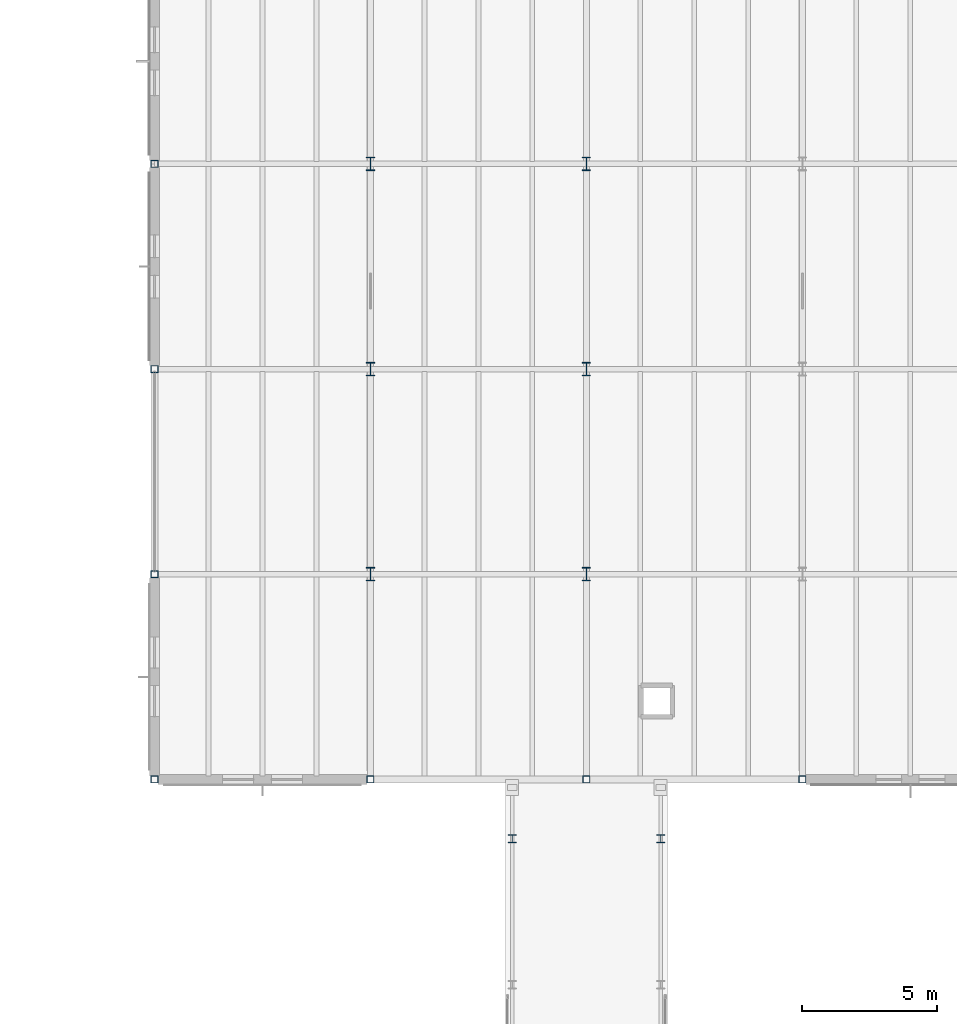
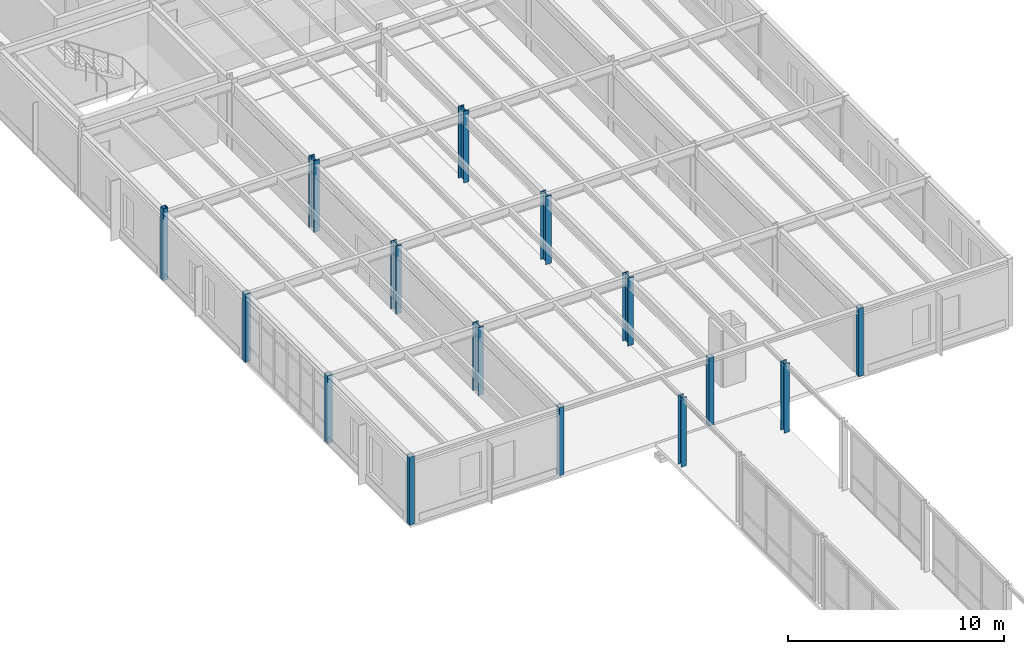
# One storey, part 21 of 189: 15 columns.
"""IFC4 building model written with IfcOpenShell, lengths in metres."""

from ifc_helpers import new_model, si_unit, direction, frame, origin, origin_2d, place, context, subcontext, project, spatial, hollow_rectangle, i_section, extrude, material, material_profile, profile_set, type_object, element, save


model = new_model("IFC4")

# Units and contexts
model_context = context("Model", 3, precision=1e-05, world=origin(), true_north=direction((0.0, 1.0)))
body_context = subcontext(model_context, "Body", "Model", "MODEL_VIEW")
ifc_project = project(units=[si_unit("LENGTHUNIT", "METRE"), si_unit("AREAUNIT", "SQUARE_METRE"), si_unit("VOLUMEUNIT", "CUBIC_METRE"), si_unit("PLANEANGLEUNIT", "RADIAN"), si_unit("MASSUNIT", "GRAM", prefix="KILO")], contexts=[model_context])

# Site, building, storey
site_placement = place(None, origin())
site = spatial("IfcSite", under=ifc_project, at=site_placement, CompositionType="ELEMENT")
building_placement = place(site_placement, origin())
building = spatial("IfcBuilding", under=site, at=building_placement, Name="Montecoro Central Library", CompositionType="ELEMENT")
storey_placement = place(building_placement, frame((0.0, 0.0, 9.179931640625)))
storey = spatial("IfcBuildingStorey", under=building, at=storey_placement, Name="L02", CompositionType="ELEMENT", Elevation=9.179931640625)

# Columns
ifc_material_1 = material(Name="Steel S355", Category="steel")
ifc_material_profile_1 = material_profile(ifc_material_1, i_section(OverallWidth=0.300048828125, OverallDepth=0.300048828125, WebThickness=0.010986328125, FlangeThickness=0.01904296875, at=origin_2d()), Name="HEB 300")
ifc_profile_set_1 = profile_set([ifc_material_profile_1], Name="Steel S355")
column_type_1 = type_object("IfcColumnType", Name="COL-HEB300", PredefinedType="COLUMN", material=ifc_profile_set_1)
for number, where, z_axis, x_axis, name in (
    (1, (154.25, 71.199951171875, 0.0), (0.0, 0.0, 1.0), (1.0, 0.0, 0.0), "BR-E-L02-COL-1542-712"),
    (2, (159.75, 71.199951171875, 0.0), (0.0, 0.0, 1.0), (1.0, 0.0, 0.0), "BR-E-L02-COL-1597-712"),
):
    element("IfcColumn", number, at=place(storey_placement, frame(where, z_axis=z_axis, x_axis=x_axis)), inside=storey, type_object=column_type_1, Name=name, PredefinedType="COLUMN", context=body_context, shape_type="SweptSolid", body=[
        extrude(i_section(OverallWidth=0.300048828125, OverallDepth=0.300048828125, WebThickness=0.010986328125, FlangeThickness=0.01904296875, at=origin_2d()), origin(), (0.0, 0.0, 1.0), 3.907958984375),
    ])
ifc_material_2 = material(Name="Steel S355J2", Category="steel")
ifc_material_profile_2 = material_profile(ifc_material_2, i_section(OverallWidth=0.300048828125, OverallDepth=0.5, WebThickness=0.014404296875, FlangeThickness=0.028076171875, at=origin_2d()), Name="HEB 500")
ifc_profile_set_2 = profile_set([ifc_material_profile_2], Name="Steel S355J2")
column_type_2 = type_object("IfcColumnType", Name="COL-HEB500", PredefinedType="COLUMN", material=ifc_profile_set_2)
for number, where, z_axis, x_axis, name in (
    (3, (149.0, 81.0, 0.0), (0.0, 0.0, 1.0), (1.0, 0.0, 0.0), "V5-L02-COL-19-L"),
    (4, (149.0, 88.60009765625, 0.0), (0.0, 0.0, 1.0), (1.0, 0.0, 0.0), "V5-L02-COL-19-M"),
):
    element("IfcColumn", number, at=place(storey_placement, frame(where, z_axis=z_axis, x_axis=x_axis)), inside=storey, type_object=column_type_2, Name=name, PredefinedType="COLUMN", context=body_context, shape_type="SweptSolid", body=[
        extrude(i_section(OverallWidth=0.300048828125, OverallDepth=0.5, WebThickness=0.014404296875, FlangeThickness=0.028076171875, at=origin_2d()), origin(), (0.0, 0.0, 1.0), 3.85009765625),
    ])
column_1_placement = place(storey_placement, frame((149.0, 96.199951171875, 0.0), z_axis=(0.0, 0.0, 1.0), x_axis=(1.0, 0.0, 0.0)))
element("IfcColumn", 5, at=column_1_placement, inside=storey, type_object=column_type_2, Name="V5-L02-COL-19-N", PredefinedType="COLUMN", context=body_context, shape_type="SweptSolid", body=[
    extrude(i_section(OverallWidth=0.300048828125, OverallDepth=0.5, WebThickness=0.014404296875, FlangeThickness=0.028076171875, at=origin_2d()), origin(), (0.0, 0.0, 1.0), 4.05517578125),
])
for number, where, z_axis, x_axis, name in (
    (6, (157.0, 81.0, 0.0), (0.0, 0.0, 1.0), (1.0, 0.0, 0.0), "V5-L02-COL-20-L"),
    (7, (157.0, 88.60009765625, 0.0), (0.0, 0.0, 1.0), (1.0, 0.0, 0.0), "V5-L02-COL-20-M"),
):
    element("IfcColumn", number, at=place(storey_placement, frame(where, z_axis=z_axis, x_axis=x_axis)), inside=storey, type_object=column_type_2, Name=name, PredefinedType="COLUMN", context=body_context, shape_type="SweptSolid", body=[
        extrude(i_section(OverallWidth=0.300048828125, OverallDepth=0.5, WebThickness=0.014404296875, FlangeThickness=0.028076171875, at=origin_2d()), origin(), (0.0, 0.0, 1.0), 3.85009765625),
    ])
column_2_placement = place(storey_placement, frame((157.0, 96.199951171875, 0.0), z_axis=(0.0, 0.0, 1.0), x_axis=(1.0, 0.0, 0.0)))
element("IfcColumn", 8, at=column_2_placement, inside=storey, type_object=column_type_2, Name="V5-L02-COL-20-N", PredefinedType="COLUMN", context=body_context, shape_type="SweptSolid", body=[
    extrude(i_section(OverallWidth=0.300048828125, OverallDepth=0.5, WebThickness=0.014404296875, FlangeThickness=0.028076171875, at=origin_2d()), origin(), (0.0, 0.0, 1.0), 4.05517578125),
])
ifc_material_profile_3 = material_profile(ifc_material_1, hollow_rectangle(XDim=0.260009765625, YDim=0.260009765625, WallThickness=0.012451171875, at=origin_2d()), Name="SHS 260x260x12.5")
ifc_profile_set_3 = profile_set([ifc_material_profile_3], Name="Steel S355")
column_type_3 = type_object("IfcColumnType", Name="COL-SHS260", PredefinedType="COLUMN", material=ifc_profile_set_3)
for number, where, z_axis, x_axis, name in (
    (9, (141.0, 73.39990234375, 0.0), (0.0, 0.0, 1.0), (1.0, 0.0, 0.0), "V5-L02-COL-18-K"),
    (10, (141.0, 81.0, 0.0), (0.0, 0.0, 1.0), (1.0, 0.0, 0.0), "V5-L02-COL-18-L"),
    (11, (141.0, 88.60009765625, 0.0), (0.0, 0.0, 1.0), (1.0, 0.0, 0.0), "V5-L02-COL-18-M"),
):
    element("IfcColumn", number, at=place(storey_placement, frame(where, z_axis=z_axis, x_axis=x_axis)), inside=storey, type_object=column_type_3, Name=name, PredefinedType="COLUMN", context=body_context, shape_type="SweptSolid", body=[
        extrude(hollow_rectangle(XDim=0.260009765625, YDim=0.260009765625, WallThickness=0.012451171875, at=origin_2d()), origin(), (0.0, 0.0, 1.0), 3.85009765625),
    ])
column_3_placement = place(storey_placement, frame((141.0, 96.199951171875, 0.0), z_axis=(0.0, 0.0, 1.0), x_axis=(1.0, 0.0, 0.0)))
element("IfcColumn", 12, at=column_3_placement, inside=storey, type_object=column_type_3, Name="V5-L02-COL-18-N", PredefinedType="COLUMN", context=body_context, shape_type="SweptSolid", body=[
    extrude(hollow_rectangle(XDim=0.260009765625, YDim=0.260009765625, WallThickness=0.012451171875, at=origin_2d()), origin(), (0.0, 0.0, 1.0), 4.05517578125),
])
for number, where, z_axis, x_axis, name in (
    (13, (149.0, 73.39990234375, 0.0), (0.0, 0.0, 1.0), (1.0, 0.0, 0.0), "V5-L02-COL-19-K"),
    (14, (157.0, 73.39990234375, 0.0), (0.0, 0.0, 1.0), (1.0, 0.0, 0.0), "V5-L02-COL-20-K"),
    (15, (165.0, 73.39990234375, 0.0), (0.0, 0.0, 1.0), (1.0, 0.0, 0.0), "V5-L02-COL-21-K"),
):
    element("IfcColumn", number, at=place(storey_placement, frame(where, z_axis=z_axis, x_axis=x_axis)), inside=storey, type_object=column_type_3, Name=name, PredefinedType="COLUMN", context=body_context, shape_type="SweptSolid", body=[
        extrude(hollow_rectangle(XDim=0.260009765625, YDim=0.260009765625, WallThickness=0.012451171875, at=origin_2d()), origin(), (0.0, 0.0, 1.0), 3.85009765625),
    ])

save(model, "model.ifc")
